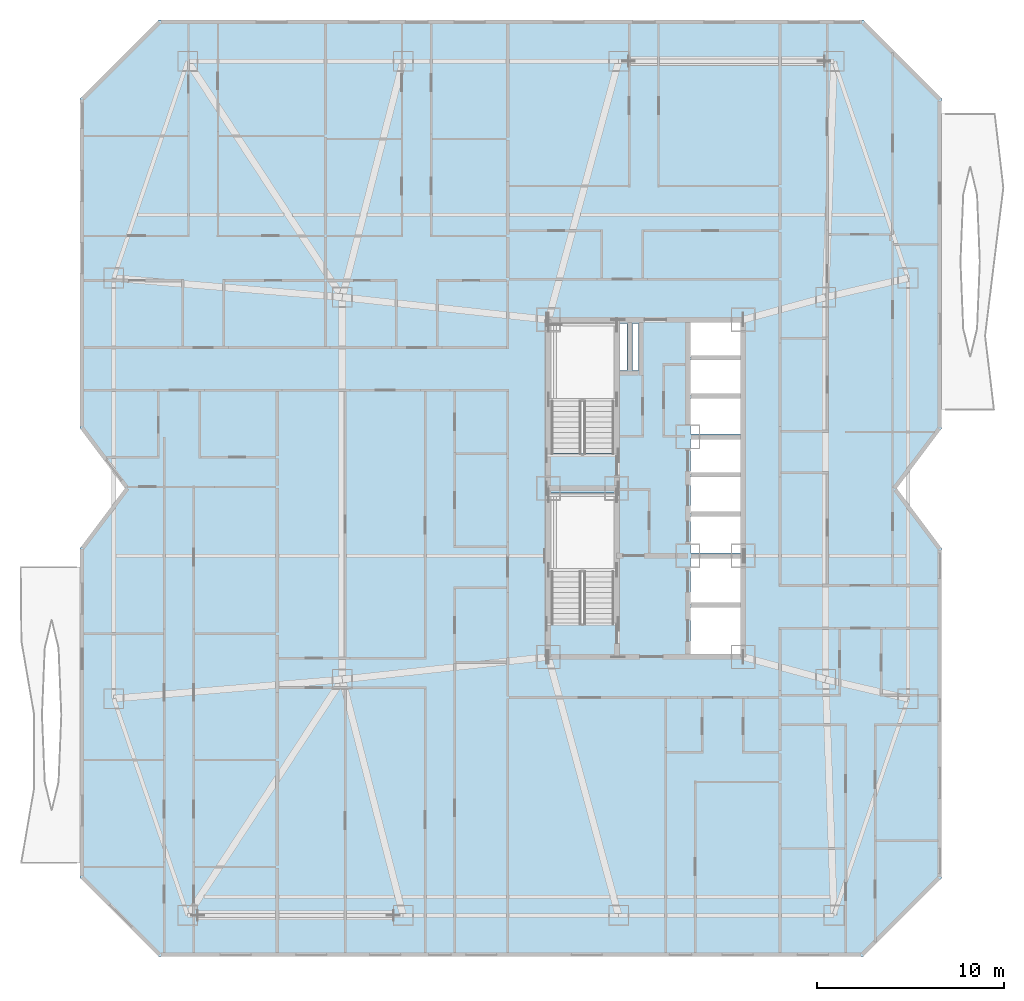
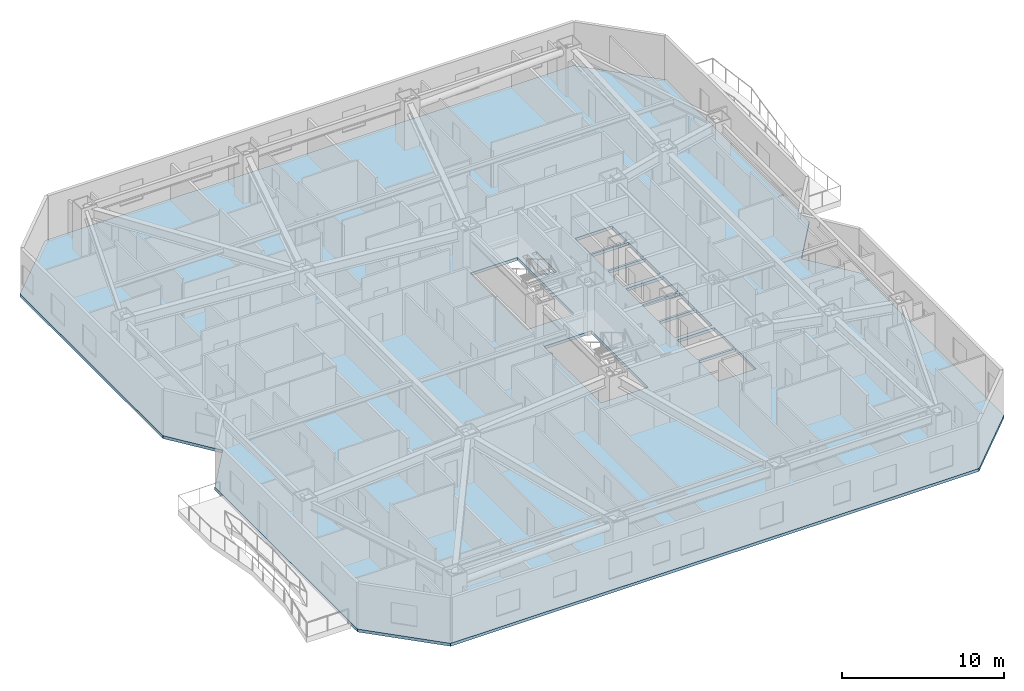
# One storey, part 3 of 16: 1 slab.
"""IFC4 building model written with IfcOpenShell, lengths in metres."""

import ifcopenshell
import ifcopenshell.guid

model = None  # the IFC model being written
_history = None  # IfcOwnerHistory: only IFC2X3 demands one
_inside = {}  # id of a spatial element -> (the spatial element, [elements in it])
_under = {}  # id of a project, library or spatial element -> (it, [spatial elements below it])
_declared = {}  # id of a project -> (the project, [libraries it declares])
_typed = {}  # id of a type object -> (the type object, [elements of that type])
_made_of = {}  # id of a material, layer set ... -> (it, [elements and type objects made of it])


def new_model(schema):
    """Start an empty IFC model of exactly this schema.

    Asked for "IFC4X3", IfcOpenShell would pick the latest addendum, in which some entities
    have other attributes; the version numbers below select the first issue.
    IFC2X3 requires an IfcOwnerHistory on every rooted entity: one is made here for all.
    """
    global model, _history
    if schema == "IFC4X3":
        model = ifcopenshell.file(schema_version=(4, 3, 0, 0))
    else:
        model = ifcopenshell.file(schema=schema)
    _inside.clear()
    _under.clear()
    _declared.clear()
    _typed.clear()
    _made_of.clear()
    _history = None
    if model.schema == "IFC2X3":
        org = make("IfcOrganization", Name="unknown")
        user = make(
            "IfcPersonAndOrganization",
            ThePerson=make("IfcPerson", FamilyName="unknown"),
            TheOrganization=org,
        )
        app = make(
            "IfcApplication",
            ApplicationDeveloper=org,
            Version="unknown",
            ApplicationFullName="unknown",
            ApplicationIdentifier="unknown",
        )
        _history = make(
            "IfcOwnerHistory",
            OwningUser=user,
            OwningApplication=app,
            ChangeAction="ADDED",
            CreationDate=0,
        )
    return model


def make(cls, **values):
    """One entity of the class cls with the attributes given. An attribute that is None is left unset."""
    return model.create_entity(
        cls, **{name: value for name, value in values.items() if value is not None}
    )


def rooted(cls, **values):
    """An entity with a GlobalId (a new one), such as an element, a storey or a relation."""
    return make(cls, GlobalId=ifcopenshell.guid.new(), OwnerHistory=_history, **values)


def si_unit(unit_type, name, prefix=None):
    """IfcSIUnit, for example si_unit("LENGTHUNIT", "METRE", prefix="MILLI")."""
    return make("IfcSIUnit", UnitType=unit_type, Prefix=prefix, Name=name)


def assignment(units):
    """IfcUnitAssignment: the units of a project."""
    return None if units is None else make("IfcUnitAssignment", Units=units)


def point(xyz):
    """IfcCartesianPoint."""
    return None if xyz is None else make("IfcCartesianPoint", Coordinates=xyz)


def direction(xyz):
    """IfcDirection."""
    return None if xyz is None else make("IfcDirection", DirectionRatios=xyz)


def frame(location, z_axis=None, x_axis=None):
    """IfcAxis2Placement3D, a coordinate frame: its origin and axes. An axis left out is left unset."""
    return make(
        "IfcAxis2Placement3D",
        Location=point(location),
        Axis=direction(z_axis),
        RefDirection=direction(x_axis),
    )


def origin():
    """The frame at (0, 0, 0) with its axes left unset."""
    return frame((0.0, 0.0, 0.0))


def place(relative_to, where):
    """IfcLocalPlacement: puts the frame where relative to a parent placement (None: the world)."""
    return make(
        "IfcLocalPlacement", PlacementRelTo=relative_to, RelativePlacement=where
    )


def context(
    kind, dimensions, precision=None, world=None, true_north=None, identifier=None
):
    """IfcGeometricRepresentationContext, for example the 3D "Model" context."""
    return make(
        "IfcGeometricRepresentationContext",
        ContextIdentifier=identifier,
        ContextType=kind,
        CoordinateSpaceDimension=dimensions,
        Precision=precision,
        WorldCoordinateSystem=world,
        TrueNorth=true_north,
    )


def subcontext(parent, identifier, kind, view, scale=None):
    """IfcGeometricRepresentationSubContext, for example "Body" below "Model"."""
    return make(
        "IfcGeometricRepresentationSubContext",
        ContextIdentifier=identifier,
        ContextType=kind,
        ParentContext=parent,
        TargetScale=scale,
        TargetView=view,
    )


def project(units=None, contexts=None):
    """IfcProject with its units and contexts."""
    return rooted(
        "IfcProject",
        Name="project",
        RepresentationContexts=contexts,
        UnitsInContext=assignment(units),
    )


def spatial(cls, under=None, at=None, **own):
    """A site, building, storey or space (cls), placed at a placement, below another one or the project."""
    s = rooted(cls, ObjectPlacement=at, **own)
    if under is not None:
        _under.setdefault(under.id(), (under, []))[1].append(s)
    return s


def polyline(points):
    """IfcPolyline through the points."""
    return make("IfcPolyline", Points=[point(p) for p in points])


def outline(outer, holes=None, kind="AREA"):
    """IfcArbitraryClosedProfileDef: a profile drawn as a closed curve; with holes, ...WithVoids."""
    if holes is None:
        return make("IfcArbitraryClosedProfileDef", ProfileType=kind, OuterCurve=outer)
    return make(
        "IfcArbitraryProfileDefWithVoids",
        ProfileType=kind,
        OuterCurve=outer,
        InnerCurves=holes,
    )


def extrude(swept, where, along, depth):
    """IfcExtrudedAreaSolid: the profile swept, set in the frame where, extruded along a direction by depth."""
    return make(
        "IfcExtrudedAreaSolid",
        SweptArea=swept,
        Position=where,
        ExtrudedDirection=direction(along),
        Depth=depth,
    )


def shape(context_of_items, identifier, shape_type, items):
    """IfcShapeRepresentation: the items that make up one representation, for example the "Body"."""
    return make(
        "IfcShapeRepresentation",
        ContextOfItems=context_of_items,
        RepresentationIdentifier=identifier,
        RepresentationType=shape_type,
        Items=items,
    )


def material(Name=None, Category=None):
    """IfcMaterial."""
    return make("IfcMaterial", Name=Name, Category=Category)


def layer(
    of_material, thickness, ventilated=None, Name=None, Category=None, Priority=None
):
    """IfcMaterialLayer: one layer of a wall or slab, of a material (None: an air gap)."""
    return make(
        "IfcMaterialLayer",
        Material=of_material,
        LayerThickness=thickness,
        IsVentilated=ventilated,
        Name=Name,
        Category=Category,
        Priority=Priority,
    )


def layer_set(layers, Name=None):
    """IfcMaterialLayerSet."""
    return make("IfcMaterialLayerSet", MaterialLayers=layers, LayerSetName=Name)


def made_of(thing, what):
    """Note that an element or type object is made of a material, layer set ...; save() writes the relation."""
    if what is not None:
        _made_of.setdefault(what.id(), (what, []))[1].append(thing)
    return thing


def type_object(cls, material=None, **own):
    """A type object (cls), such as IfcWallType, which elements share."""
    return made_of(rooted(cls, **own), material)


def element(
    cls,
    number,
    at=None,
    inside=None,
    cuts=None,
    type_object=None,
    material=None,
    context=None,
    identifier="Body",
    shape_type=None,
    held_by="IfcProductDefinitionShape",
    body=None,
    shapes=None,
    **own,
):
    """One element of the class cls, such as IfcWall. Its Tag is "e" and its number.

    at: its placement. inside: the storey or other place that contains it. cuts: it is an
    opening in that element (IfcRelVoidsElement). A single representation is given by context,
    identifier, shape_type and body (its items); several are given by shapes. held_by: the class
    of the entity that holds the representations. save() writes the other relations.
    """
    e = rooted(cls, Tag="e%d" % number, ObjectPlacement=at, **own)
    if body is not None:
        shapes = [shape(context, identifier, shape_type, body)]
    if shapes is not None:
        e.Representation = make(held_by, Representations=shapes)
    if inside is not None:
        _inside.setdefault(inside.id(), (inside, []))[1].append(e)
    if cuts is not None:
        rooted(
            "IfcRelVoidsElement", RelatingBuildingElement=cuts, RelatedOpeningElement=e
        )
    if type_object is not None:
        _typed.setdefault(type_object.id(), (type_object, []))[1].append(e)
    return made_of(e, material)


def aggregate(whole, parts):
    """IfcRelAggregates: a whole, such as a stair, and the parts it consists of."""
    return rooted("IfcRelAggregates", RelatingObject=whole, RelatedObjects=parts)


def save(model, path):
    """Write the relations noted so far, then the file.

    IfcRelAggregates (storeys below a building ...), IfcRelContainedInSpatialStructure (elements
    in a storey), IfcRelDefinesByType, IfcRelAssociatesMaterial and IfcRelDeclares: one each for
    every whole, place, type object, material and project.
    """
    for whole, parts in _under.values():
        aggregate(whole, parts)
    for where, things in _inside.values():
        rooted(
            "IfcRelContainedInSpatialStructure",
            RelatedElements=things,
            RelatingStructure=where,
        )
    for kind, things in _typed.values():
        rooted("IfcRelDefinesByType", RelatedObjects=things, RelatingType=kind)
    for what, things in _made_of.values():
        rooted("IfcRelAssociatesMaterial", RelatedObjects=things, RelatingMaterial=what)
    for by, libraries in _declared.values():
        rooted("IfcRelDeclares", RelatingContext=by, RelatedDefinitions=libraries)
    model.write(path)


model = new_model("IFC4")

# Units and contexts
model_context = context("Model", 3, precision=1e-05, world=origin(), true_north=direction((0.0, 1.0)))
body_context = subcontext(model_context, "Body", "Model", "MODEL_VIEW")
ifc_project = project(units=[si_unit("LENGTHUNIT", "METRE"), si_unit("AREAUNIT", "SQUARE_METRE"), si_unit("VOLUMEUNIT", "CUBIC_METRE"), si_unit("PLANEANGLEUNIT", "RADIAN"), si_unit("MASSUNIT", "GRAM", prefix="KILO")], contexts=[model_context])

# Site, building, storey
site_placement = place(None, origin())
site = spatial("IfcSite", under=ifc_project, at=site_placement, CompositionType="ELEMENT")
building_placement = place(site_placement, origin())
building = spatial("IfcBuilding", under=site, at=building_placement, Name="Khamvora Tower", CompositionType="ELEMENT")
storey_placement = place(building_placement, frame((0.0, 0.0, 66.14990234375)))
storey = spatial("IfcBuildingStorey", under=building, at=storey_placement, Name="L16", CompositionType="ELEMENT", Elevation=66.14990234375)

# Slab
ifc_material = material(Name="Concrete C35/45", Category="concrete")
ifc_layer = layer(ifc_material, 0.219970703125)
ifc_layer_set = layer_set([ifc_layer], Name="Concrete C35/45")
slab_type = type_object("IfcSlabType", Name="SLB-TYP-220", PredefinedType="FLOOR", material=ifc_layer_set)
slab_placement = place(storey_placement, frame((0.0, 0.0, -0.219970703125)))
element("IfcSlab", 1, at=slab_placement, inside=storey, type_object=slab_type, Name="L16 structural floor slab", PredefinedType="FLOOR", context=body_context, shape_type="SweptSolid", body=[
    extrude(outline(polyline([(8.199951171875, 3.0), (45.800048828125, 3.0), (50.0, 7.199951171875), (50.0, 24.800048828125), (47.60009765625, 28.0), (50.0, 31.199951171875), (50.0, 48.800048828125), (45.800048828125, 53.0), (8.199951171875, 53.0), (4.0, 48.800048828125), (4.0, 31.199951171875), (6.39990234375, 28.0), (4.0, 24.800048828125), (4.0, 7.199951171875), (8.199951171875, 3.0)]), holes=[polyline([(32.5, 20.760009765625), (32.5, 27.75), (29.14990234375, 27.75), (29.14990234375, 20.760009765625), (32.5, 20.760009765625)]), polyline([(32.5, 29.860107421875), (32.5, 36.85009765625), (29.14990234375, 36.85009765625), (29.14990234375, 29.860107421875), (32.5, 29.860107421875)]), polyline([(36.60009765625, 19.14990234375), (39.25, 19.14990234375), (39.25, 21.64990234375), (36.60009765625, 21.64990234375), (36.60009765625, 19.14990234375)]), polyline([(36.60009765625, 21.800048828125), (39.25, 21.800048828125), (39.25, 24.25), (36.60009765625, 24.25), (36.60009765625, 21.800048828125)]), polyline([(36.60009765625, 24.550048828125), (39.25, 24.550048828125), (39.25, 26.5), (36.60009765625, 26.5), (36.60009765625, 24.550048828125)]), polyline([(36.60009765625, 26.64990234375), (39.25, 26.64990234375), (39.25, 28.60009765625), (36.60009765625, 28.60009765625), (36.60009765625, 26.64990234375)]), polyline([(36.60009765625, 28.75), (39.25, 28.75), (39.25, 30.60009765625), (36.60009765625, 30.60009765625), (36.60009765625, 28.75)]), polyline([(36.60009765625, 30.89990234375), (39.25, 30.89990234375), (39.25, 32.800048828125), (36.60009765625, 32.800048828125), (36.60009765625, 30.89990234375)]), polyline([(36.60009765625, 32.949951171875), (39.25, 32.949951171875), (39.25, 34.85009765625), (36.60009765625, 34.85009765625), (36.60009765625, 32.949951171875)]), polyline([(36.60009765625, 35.0), (39.25, 35.0), (39.25, 36.85009765625), (36.60009765625, 36.85009765625), (36.60009765625, 35.0)]), polyline([(32.800048828125, 34.300048828125), (33.199951171875, 34.300048828125), (33.199951171875, 36.800048828125), (32.800048828125, 36.800048828125), (32.800048828125, 34.300048828125)]), polyline([(33.47998046875, 34.300048828125), (33.820068359375, 34.300048828125), (33.820068359375, 36.800048828125), (33.47998046875, 36.800048828125), (33.47998046875, 34.300048828125)])]), origin(), (0.0, 0.0, 1.0), 0.219970703125),
])

save(model, "model.ifc")
